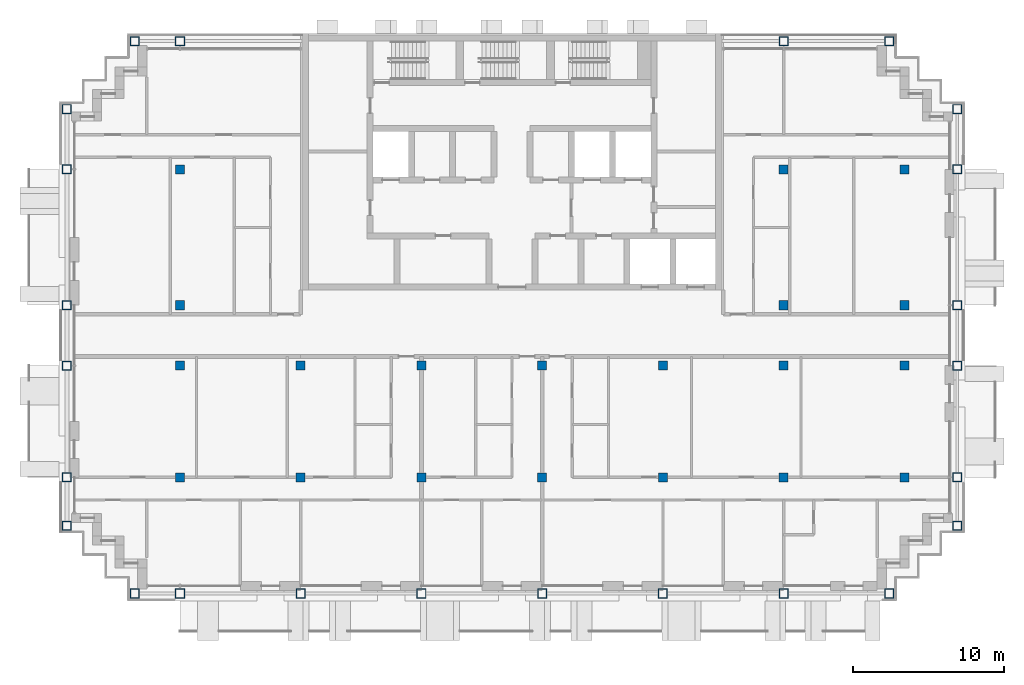
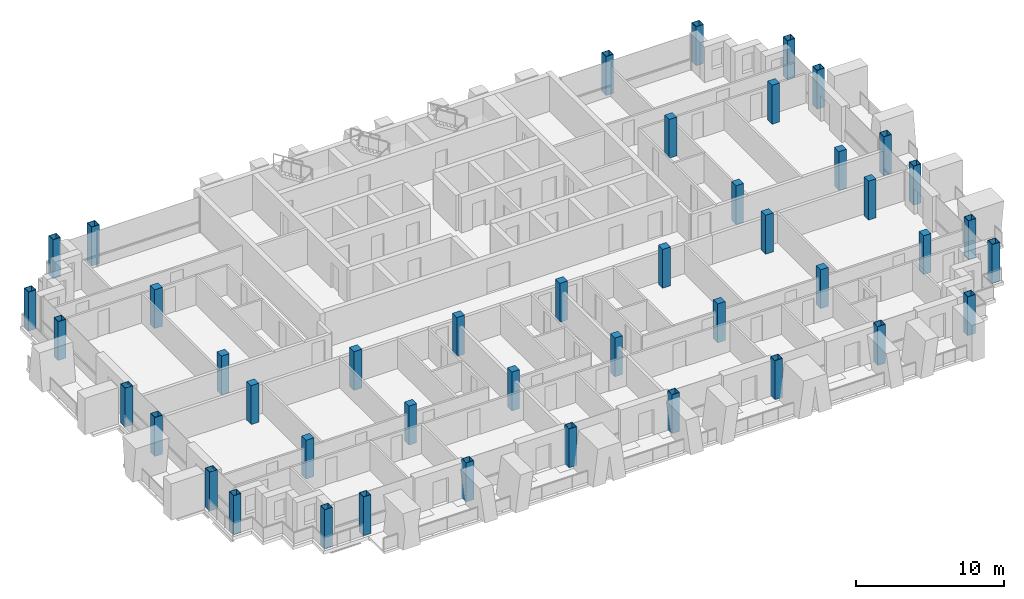
# One storey, part 1 of 16: 44 columns.
"""IFC4 building model written with IfcOpenShell, lengths in metres."""

from ifc_helpers import new_model, si_unit, direction, frame, origin, origin_2d, place, context, subcontext, project, spatial, rectangle, hollow_rectangle, extrude, material, material_profile, profile_set, type_object, element, save


model = new_model("IFC4")

# Units and contexts
model_context = context("Model", 3, precision=1e-05, world=origin(), true_north=direction((0.0, 1.0)))
body_context = subcontext(model_context, "Body", "Model", "MODEL_VIEW")
ifc_project = project(units=[si_unit("LENGTHUNIT", "METRE"), si_unit("AREAUNIT", "SQUARE_METRE"), si_unit("VOLUMEUNIT", "CUBIC_METRE"), si_unit("PLANEANGLEUNIT", "RADIAN"), si_unit("MASSUNIT", "GRAM", prefix="KILO")], contexts=[model_context])

# Site, building, storey
site_placement = place(None, origin())
site = spatial("IfcSite", under=ifc_project, at=site_placement, CompositionType="ELEMENT")
building_placement = place(site_placement, origin())
building = spatial("IfcBuilding", under=site, at=building_placement, Name="Vidyagriha Tower", CompositionType="ELEMENT")
storey_placement = place(building_placement, frame((0.0, 0.0, 217.199951171875)))
storey = spatial("IfcBuildingStorey", under=building, at=storey_placement, Name="L56", CompositionType="ELEMENT", Elevation=217.199951171875)

# Columns
ifc_material_1 = material(Name="Steel ASTM A572 Grade 50", Category="steel")
ifc_material_profile_1 = material_profile(ifc_material_1, hollow_rectangle(XDim=0.60009765625, YDim=0.60009765625, WallThickness=0.030029296875, at=origin_2d()), Name="BOX 600x600x30")
ifc_profile_set_1 = profile_set([ifc_material_profile_1], Name="Steel ASTM A572 Grade 50")
column_type_1 = type_object("IfcColumnType", Name="Exoskeleton column BOX 600x600x30", PredefinedType="COLUMN", material=ifc_profile_set_1)
for number, where, name in (
    (1, (-25.0, -17.10009765625, 0.0), "st-col-L56-B5-001"),
    (2, (-22.0, -17.10009765625, 0.0), "st-col-L56-B5-002"),
    (3, (-14.0, -17.10009765625, 0.0), "st-col-L56-B5-003"),
    (4, (-6.0, -17.10009765625, 0.0), "st-col-L56-B5-004"),
    (5, (2.0, -17.10009765625, 0.0), "st-col-L56-B5-005"),
    (6, (10.0, -17.10009765625, 0.0), "st-col-L56-B5-006"),
    (7, (18.0, -17.10009765625, 0.0), "st-col-L56-B5-007"),
    (8, (25.0, -17.10009765625, 0.0), "st-col-L56-B5-008"),
    (9, (-29.5, -12.60009765625, 0.0), "st-col-L56-B5-009"),
    (10, (29.5, -12.60009765625, 0.0), "st-col-L56-B5-010"),
    (11, (-29.5, -9.39990234375, 0.0), "st-col-L56-B5-011"),
    (12, (29.5, -9.39990234375, 0.0), "st-col-L56-B5-019"),
    (13, (-29.5, -2.0, 0.0), "st-col-L56-B5-020"),
    (14, (29.5, -2.0, 0.0), "st-col-L56-B5-028"),
    (15, (-29.5, 2.0, 0.0), "st-col-L56-B5-029"),
    (16, (29.5, 2.0, 0.0), "st-col-L56-B5-033"),
    (17, (-29.5, 11.0, 0.0), "st-col-L56-B5-034"),
    (18, (29.5, 11.0, 0.0), "st-col-L56-B5-038"),
    (19, (-29.5, 15.0, 0.0), "st-col-L56-B5-039"),
    (20, (29.5, 15.0, 0.0), "st-col-L56-B5-040"),
    (21, (-25.0, 19.5, 0.0), "st-col-L56-B5-041"),
    (22, (-22.0, 19.5, 0.0), "st-col-L56-B5-042"),
    (23, (18.0, 19.5, 0.0), "st-col-L56-B5-043"),
    (24, (25.0, 19.5, 0.0), "st-col-L56-B5-044"),
):
    element("IfcColumn", number, at=place(storey_placement, frame(where)), inside=storey, type_object=column_type_1, Name=name, PredefinedType="COLUMN", context=body_context, shape_type="SweptSolid", body=[
        extrude(hollow_rectangle(XDim=0.60009765625, YDim=0.60009765625, WallThickness=0.030029296875, at=origin_2d()), origin(), (0.0, 0.0, 1.0), 3.199951171875),
    ])
ifc_material_2 = material(Name="Concrete C60/75", Category="concrete")
ifc_material_profile_2 = material_profile(ifc_material_2, rectangle(XDim=0.60009765625, YDim=0.60009765625, at=origin_2d()), Name="RC 600x600")
ifc_profile_set_2 = profile_set([ifc_material_profile_2], Name="Concrete C60/75")
column_type_2 = type_object("IfcColumnType", Name="Frame column RC 600x600", PredefinedType="COLUMN", material=ifc_profile_set_2)
for number, where, name in (
    (25, (-22.0, -9.39990234375, 0.0), "st-col-L56-B5-012"),
    (26, (-14.0, -9.39990234375, 0.0), "st-col-L56-B5-013"),
    (27, (-6.0, -9.39990234375, 0.0), "st-col-L56-B5-014"),
    (28, (2.0, -9.39990234375, 0.0), "st-col-L56-B5-015"),
    (29, (10.0, -9.39990234375, 0.0), "st-col-L56-B5-016"),
    (30, (18.0, -9.39990234375, 0.0), "st-col-L56-B5-017"),
    (31, (26.0, -9.39990234375, 0.0), "st-col-L56-B5-018"),
    (32, (-22.0, -2.0, 0.0), "st-col-L56-B5-021"),
    (33, (-14.0, -2.0, 0.0), "st-col-L56-B5-022"),
    (34, (-6.0, -2.0, 0.0), "st-col-L56-B5-023"),
    (35, (2.0, -2.0, 0.0), "st-col-L56-B5-024"),
    (36, (10.0, -2.0, 0.0), "st-col-L56-B5-025"),
    (37, (18.0, -2.0, 0.0), "st-col-L56-B5-026"),
    (38, (26.0, -2.0, 0.0), "st-col-L56-B5-027"),
    (39, (-22.0, 2.0, 0.0), "st-col-L56-B5-030"),
    (40, (18.0, 2.0, 0.0), "st-col-L56-B5-031"),
    (41, (26.0, 2.0, 0.0), "st-col-L56-B5-032"),
    (42, (-22.0, 11.0, 0.0), "st-col-L56-B5-035"),
    (43, (18.0, 11.0, 0.0), "st-col-L56-B5-036"),
    (44, (26.0, 11.0, 0.0), "st-col-L56-B5-037"),
):
    element("IfcColumn", number, at=place(storey_placement, frame(where)), inside=storey, type_object=column_type_2, Name=name, PredefinedType="COLUMN", context=body_context, shape_type="SweptSolid", body=[
        extrude(rectangle(XDim=0.60009765625, YDim=0.60009765625, at=origin_2d()), origin(), (0.0, 0.0, 1.0), 3.199951171875),
    ])

save(model, "model.ifc")
